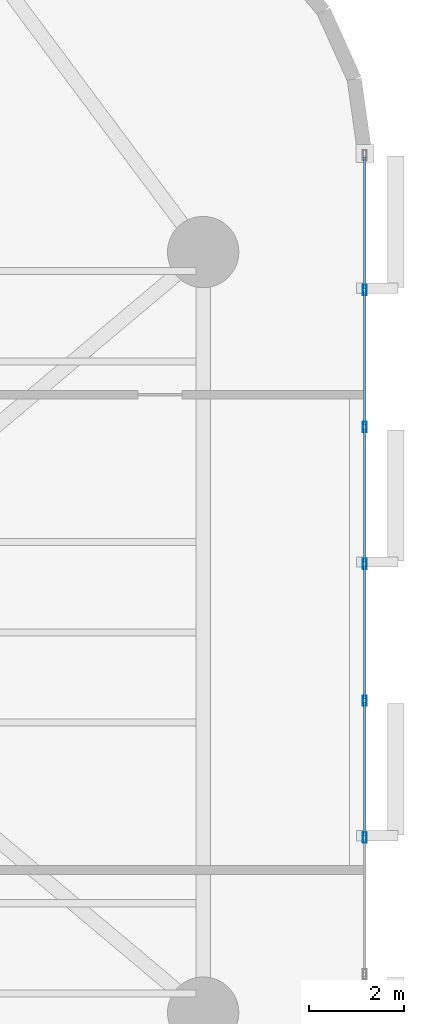
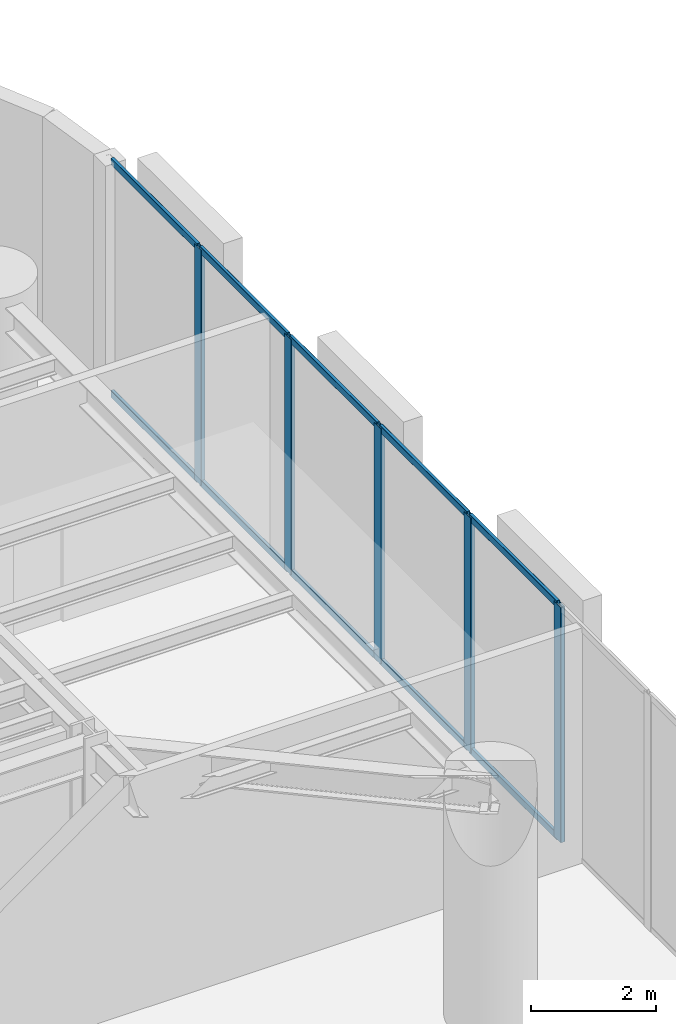
# One storey, part 5 of 13: 15 members, 1 element without a shape of its own.
"""IFC4 building model written with IfcOpenShell, lengths in metres."""

from ifc_helpers import new_model, si_unit, direction, frame, origin, origin_2d, place, context, subcontext, project, spatial, hollow_rectangle, extrude, material, layer, layer_set, material_profile, profile_set, type_object, element, aggregate, save


model = new_model("IFC4")

# Units and contexts
model_context = context("Model", 3, precision=1e-05, world=origin(), true_north=direction((0.0, 1.0)))
body_context = subcontext(model_context, "Body", "Model", "MODEL_VIEW")
ifc_project = project(units=[si_unit("LENGTHUNIT", "METRE"), si_unit("AREAUNIT", "SQUARE_METRE"), si_unit("VOLUMEUNIT", "CUBIC_METRE"), si_unit("PLANEANGLEUNIT", "RADIAN"), si_unit("MASSUNIT", "GRAM", prefix="KILO")], contexts=[model_context])

# Site, building, storey
site_placement = place(None, origin())
site = spatial("IfcSite", under=ifc_project, at=site_placement, CompositionType="ELEMENT")
building_placement = place(site_placement, origin())
building = spatial("IfcBuilding", under=site, at=building_placement, Name="An Khanh Terracotta Commons", CompositionType="ELEMENT")
storey_placement = place(building_placement, frame((0.0, 0.0, 24.0)))
storey = spatial("IfcBuildingStorey", under=building, at=storey_placement, Name="L06", CompositionType="ELEMENT", Elevation=24.0)

# Curtain wall, members
ifc_material = material(Name="Anodised Aluminium 6063-T6", Category="aluminium")
ifc_layer = layer(ifc_material, 0.239990234375, Name="Anodised Aluminium 6063-T6")
ifc_layer_set = layer_set([ifc_layer], Name="Anodised Aluminium 6063-T6")
curtain_wall_type = type_object("IfcCurtainWallType", Name="CW-SYS-04", PredefinedType="USERDEFINED", material=ifc_layer_set)
curtain_wall_placement = place(storey_placement, origin())
curtain_wall = element("IfcCurtainWall", 1, at=curtain_wall_placement, inside=storey, type_object=curtain_wall_type, Name="L06 CW-04 Unitised Curtain Wall CW-L06-12", ObjectType="UNITISED CURTAIN WALL", PredefinedType="USERDEFINED")
ifc_material_profile_1 = material_profile(ifc_material, hollow_rectangle(XDim=0.080078125, YDim=0.219970703125, WallThickness=0.0048828125, InnerFilletRadius=0.0048828125, OuterFilletRadius=0.010009765625, at=origin_2d()), Name="RHS220x80x5")
ifc_profile_set_1 = profile_set([ifc_material_profile_1], Name="Anodised Aluminium 6063-T6")
member_type_1 = type_object("IfcMemberType", Name="CWM-RHS220x80x5", PredefinedType="MULLION", material=ifc_profile_set_1)
member_1_placement = place(storey_placement, frame((51.60009765625, 19.681396484375, 0.0), z_axis=(0.0, 0.0, 1.0), x_axis=(-1.0, 0.0, 0.0)))
member_1 = element("IfcMember", 2, at=member_1_placement, type_object=member_type_1, Name="CW-04 mullion 3", PredefinedType="MULLION", context=body_context, shape_type="SweptSolid", body=[
    extrude(hollow_rectangle(XDim=0.080078125, YDim=0.219970703125, WallThickness=0.0048828125, InnerFilletRadius=0.0048828125, OuterFilletRadius=0.010009765625, at=origin_2d()), origin(), (0.0, 0.0, 1.0), 4.60009765625),
])
member_2_placement = place(storey_placement, frame((51.60009765625, 22.560546875, 0.0), z_axis=(0.0, 0.0, 1.0), x_axis=(-1.0, 0.0, 0.0)))
member_2 = element("IfcMember", 3, at=member_2_placement, type_object=member_type_1, Name="CW-04 mullion 4", PredefinedType="MULLION", context=body_context, shape_type="SweptSolid", body=[
    extrude(hollow_rectangle(XDim=0.080078125, YDim=0.219970703125, WallThickness=0.0048828125, InnerFilletRadius=0.0048828125, OuterFilletRadius=0.010009765625, at=origin_2d()), origin(), (0.0, 0.0, 1.0), 4.60009765625),
])
member_3_placement = place(storey_placement, frame((51.60009765625, 25.439453125, 0.0), z_axis=(0.0, 0.0, 1.0), x_axis=(-1.0, 0.0, 0.0)))
member_3 = element("IfcMember", 4, at=member_3_placement, type_object=member_type_1, Name="CW-04 mullion 5", PredefinedType="MULLION", context=body_context, shape_type="SweptSolid", body=[
    extrude(hollow_rectangle(XDim=0.080078125, YDim=0.219970703125, WallThickness=0.0048828125, InnerFilletRadius=0.0048828125, OuterFilletRadius=0.010009765625, at=origin_2d()), origin(), (0.0, 0.0, 1.0), 4.60009765625),
])
member_4_placement = place(storey_placement, frame((51.60009765625, 28.318603515625, 0.0), z_axis=(0.0, 0.0, 1.0), x_axis=(-1.0, 0.0, 0.0)))
member_4 = element("IfcMember", 5, at=member_4_placement, type_object=member_type_1, Name="CW-04 mullion 6", PredefinedType="MULLION", context=body_context, shape_type="SweptSolid", body=[
    extrude(hollow_rectangle(XDim=0.080078125, YDim=0.219970703125, WallThickness=0.0048828125, InnerFilletRadius=0.0048828125, OuterFilletRadius=0.010009765625, at=origin_2d()), origin(), (0.0, 0.0, 1.0), 4.60009765625),
])
member_5_placement = place(storey_placement, frame((51.60009765625, 31.19775390625, 0.0), z_axis=(0.0, 0.0, 1.0), x_axis=(-1.0, 0.0, 0.0)))
member_5 = element("IfcMember", 6, at=member_5_placement, type_object=member_type_1, Name="CW-04 mullion 7", PredefinedType="MULLION", context=body_context, shape_type="SweptSolid", body=[
    extrude(hollow_rectangle(XDim=0.080078125, YDim=0.219970703125, WallThickness=0.0048828125, InnerFilletRadius=0.0048828125, OuterFilletRadius=0.010009765625, at=origin_2d()), origin(), (0.0, 0.0, 1.0), 4.60009765625),
])
ifc_material_profile_2 = material_profile(ifc_material, hollow_rectangle(XDim=0.06005859375, YDim=0.135009765625, WallThickness=0.003662109375, InnerFilletRadius=0.003662109375, OuterFilletRadius=0.007080078125, at=origin_2d()), Name="RHS135x60x3.6")
ifc_profile_set_2 = profile_set([ifc_material_profile_2], Name="Anodised Aluminium 6063-T6")
member_type_2 = type_object("IfcMemberType", Name="CWT-RHS135x60x3.6", PredefinedType="USERDEFINED", material=ifc_profile_set_2)
member_6_placement = place(storey_placement, frame((51.60009765625, 19.72119140625, 0.030029296875), z_axis=(0.0, 1.0, 0.0), x_axis=(-1.0, 0.0, 0.0)))
member_6 = element("IfcMember", 7, at=member_6_placement, type_object=member_type_2, Name="CW-04 transom 3.1", ObjectType="TRANSOM", PredefinedType="USERDEFINED", context=body_context, shape_type="SweptSolid", body=[
    extrude(hollow_rectangle(XDim=0.06005859375, YDim=0.135009765625, WallThickness=0.003662109375, InnerFilletRadius=0.003662109375, OuterFilletRadius=0.007080078125, at=origin_2d()), origin(), (0.0, 0.0, 1.0), 2.79931640625),
])
member_7_placement = place(storey_placement, frame((51.60009765625, 19.72119140625, 4.570068359375), z_axis=(0.0, 1.0, 0.0), x_axis=(-1.0, 0.0, 0.0)))
member_7 = element("IfcMember", 8, at=member_7_placement, type_object=member_type_2, Name="CW-04 transom 3.2", ObjectType="TRANSOM", PredefinedType="USERDEFINED", context=body_context, shape_type="SweptSolid", body=[
    extrude(hollow_rectangle(XDim=0.06005859375, YDim=0.135009765625, WallThickness=0.003662109375, InnerFilletRadius=0.003662109375, OuterFilletRadius=0.007080078125, at=origin_2d()), origin(), (0.0, 0.0, 1.0), 2.79931640625),
])
member_8_placement = place(storey_placement, frame((51.60009765625, 22.600341796875, 0.030029296875), z_axis=(0.0, 1.0, 0.0), x_axis=(-1.0, 0.0, 0.0)))
member_8 = element("IfcMember", 9, at=member_8_placement, type_object=member_type_2, Name="CW-04 transom 4.1", ObjectType="TRANSOM", PredefinedType="USERDEFINED", context=body_context, shape_type="SweptSolid", body=[
    extrude(hollow_rectangle(XDim=0.06005859375, YDim=0.135009765625, WallThickness=0.003662109375, InnerFilletRadius=0.003662109375, OuterFilletRadius=0.007080078125, at=origin_2d()), origin(), (0.0, 0.0, 1.0), 2.79931640625),
])
member_9_placement = place(storey_placement, frame((51.60009765625, 22.600341796875, 4.570068359375), z_axis=(0.0, 1.0, 0.0), x_axis=(-1.0, 0.0, 0.0)))
member_9 = element("IfcMember", 10, at=member_9_placement, type_object=member_type_2, Name="CW-04 transom 4.2", ObjectType="TRANSOM", PredefinedType="USERDEFINED", context=body_context, shape_type="SweptSolid", body=[
    extrude(hollow_rectangle(XDim=0.06005859375, YDim=0.135009765625, WallThickness=0.003662109375, InnerFilletRadius=0.003662109375, OuterFilletRadius=0.007080078125, at=origin_2d()), origin(), (0.0, 0.0, 1.0), 2.79931640625),
])
member_10_placement = place(storey_placement, frame((51.60009765625, 25.4794921875, 0.030029296875), z_axis=(0.0, 1.0, 0.0), x_axis=(-1.0, 0.0, 0.0)))
member_10 = element("IfcMember", 11, at=member_10_placement, type_object=member_type_2, Name="CW-04 transom 5.1", ObjectType="TRANSOM", PredefinedType="USERDEFINED", context=body_context, shape_type="SweptSolid", body=[
    extrude(hollow_rectangle(XDim=0.06005859375, YDim=0.135009765625, WallThickness=0.003662109375, InnerFilletRadius=0.003662109375, OuterFilletRadius=0.007080078125, at=origin_2d()), origin(), (0.0, 0.0, 1.0), 2.79931640625),
])
member_11_placement = place(storey_placement, frame((51.60009765625, 25.4794921875, 4.570068359375), z_axis=(0.0, 1.0, 0.0), x_axis=(-1.0, 0.0, 0.0)))
member_11 = element("IfcMember", 12, at=member_11_placement, type_object=member_type_2, Name="CW-04 transom 5.2", ObjectType="TRANSOM", PredefinedType="USERDEFINED", context=body_context, shape_type="SweptSolid", body=[
    extrude(hollow_rectangle(XDim=0.06005859375, YDim=0.135009765625, WallThickness=0.003662109375, InnerFilletRadius=0.003662109375, OuterFilletRadius=0.007080078125, at=origin_2d()), origin(), (0.0, 0.0, 1.0), 2.79931640625),
])
member_12_placement = place(storey_placement, frame((51.60009765625, 28.358642578125, 0.030029296875), z_axis=(0.0, 1.0, 0.0), x_axis=(-1.0, 0.0, 0.0)))
member_12 = element("IfcMember", 13, at=member_12_placement, type_object=member_type_2, Name="CW-04 transom 6.1", ObjectType="TRANSOM", PredefinedType="USERDEFINED", context=body_context, shape_type="SweptSolid", body=[
    extrude(hollow_rectangle(XDim=0.06005859375, YDim=0.135009765625, WallThickness=0.003662109375, InnerFilletRadius=0.003662109375, OuterFilletRadius=0.007080078125, at=origin_2d()), origin(), (0.0, 0.0, 1.0), 2.79931640625),
])
member_13_placement = place(storey_placement, frame((51.60009765625, 28.358642578125, 4.570068359375), z_axis=(0.0, 1.0, 0.0), x_axis=(-1.0, 0.0, 0.0)))
member_13 = element("IfcMember", 14, at=member_13_placement, type_object=member_type_2, Name="CW-04 transom 6.2", ObjectType="TRANSOM", PredefinedType="USERDEFINED", context=body_context, shape_type="SweptSolid", body=[
    extrude(hollow_rectangle(XDim=0.06005859375, YDim=0.135009765625, WallThickness=0.003662109375, InnerFilletRadius=0.003662109375, OuterFilletRadius=0.007080078125, at=origin_2d()), origin(), (0.0, 0.0, 1.0), 2.79931640625),
])
member_14_placement = place(storey_placement, frame((51.60009765625, 31.23779296875, 0.030029296875), z_axis=(0.0, 1.0, 0.0), x_axis=(-1.0, 0.0, 0.0)))
member_14 = element("IfcMember", 15, at=member_14_placement, type_object=member_type_2, Name="CW-04 transom 7.1", ObjectType="TRANSOM", PredefinedType="USERDEFINED", context=body_context, shape_type="SweptSolid", body=[
    extrude(hollow_rectangle(XDim=0.06005859375, YDim=0.135009765625, WallThickness=0.003662109375, InnerFilletRadius=0.003662109375, OuterFilletRadius=0.007080078125, at=origin_2d()), origin(), (0.0, 0.0, 1.0), 2.75927734375),
])
member_15_placement = place(storey_placement, frame((51.60009765625, 31.23779296875, 4.570068359375), z_axis=(0.0, 1.0, 0.0), x_axis=(-1.0, 0.0, 0.0)))
member_15 = element("IfcMember", 16, at=member_15_placement, type_object=member_type_2, Name="CW-04 transom 7.2", ObjectType="TRANSOM", PredefinedType="USERDEFINED", context=body_context, shape_type="SweptSolid", body=[
    extrude(hollow_rectangle(XDim=0.06005859375, YDim=0.135009765625, WallThickness=0.003662109375, InnerFilletRadius=0.003662109375, OuterFilletRadius=0.007080078125, at=origin_2d()), origin(), (0.0, 0.0, 1.0), 2.75927734375),
])
aggregate(curtain_wall, [member_1, member_2, member_3, member_4, member_5, member_6, member_7, member_8, member_9, member_10, member_11, member_12, member_13, member_14, member_15])

save(model, "model.ifc")
